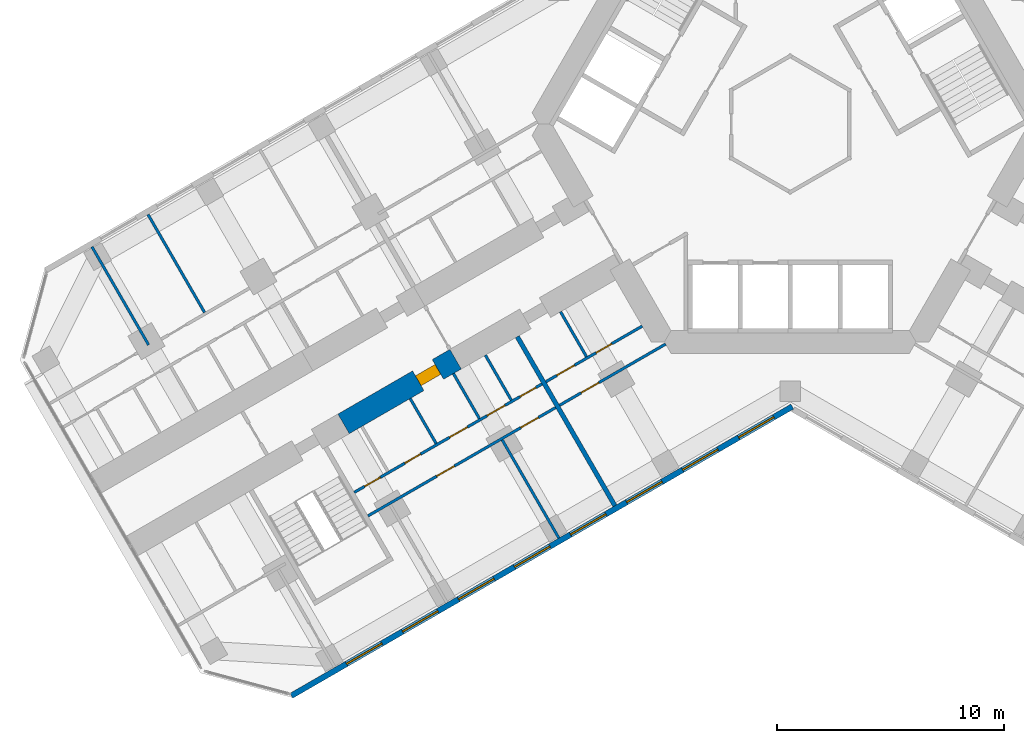
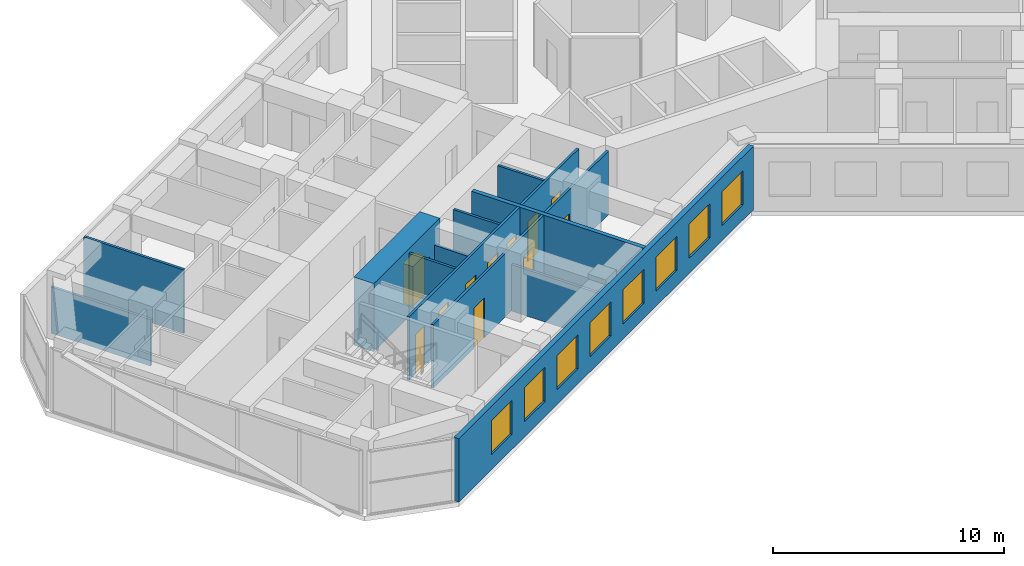
# One storey, part 11 of 21: 14 walls, 11 doors, 8 windows, 19 openings.
"""IFC4 building model written with IfcOpenShell, lengths in metres."""

from ifc_helpers import new_model, si_unit, direction, frame, frame_2d, origin, place, context, subcontext, project, spatial, rectangle, extrude, material, layer, layer_set, type_object, element, fill, save


model = new_model("IFC4")

# Units and contexts
model_context = context("Model", 3, precision=1e-05, world=origin(), true_north=direction((0.0, 1.0)))
body_context = subcontext(model_context, "Body", "Model", "MODEL_VIEW")
ifc_project = project(units=[si_unit("LENGTHUNIT", "METRE"), si_unit("AREAUNIT", "SQUARE_METRE"), si_unit("VOLUMEUNIT", "CUBIC_METRE"), si_unit("PLANEANGLEUNIT", "RADIAN"), si_unit("MASSUNIT", "GRAM", prefix="KILO")], contexts=[model_context])

# Site, building, storey
site_placement = place(None, origin())
site = spatial("IfcSite", under=ifc_project, at=site_placement, CompositionType="ELEMENT")
building_placement = place(site_placement, origin())
building = spatial("IfcBuilding", under=site, at=building_placement, Name="Kosmar Iwan School Tower", CompositionType="ELEMENT")
storey_placement = place(building_placement, frame((0.0, 0.0, 102.39990234375)))
storey = spatial("IfcBuildingStorey", under=building, at=storey_placement, Name="L25", CompositionType="ELEMENT", Elevation=102.39990234375)

# Wall, opening, door
ifc_material_1 = material(Name="Concrete C50/60", Category="concrete")
ifc_layer_1 = layer(ifc_material_1, 1.0)
ifc_layer_set_1 = layer_set([ifc_layer_1], Name="Corridor buttress wall 1000")
wall_type_1 = type_object("IfcWallType", Name="Corridor buttress wall 1000", PredefinedType="SHEAR", material=ifc_layer_set_1)
wall_1_placement = place(storey_placement, frame((-14.7451171875, -10.360595703125, 0.0), z_axis=(0.0, 0.0, 1.0), x_axis=(-0.866015111908, -0.50001782563, 0.0)))
wall_1 = element("IfcWall", 1, at=wall_1_placement, inside=storey, type_object=wall_type_1, Name="Corridor wall BL bay 2", PredefinedType="SHEAR", context=body_context, shape_type="SweptSolid", body=[
    extrude(rectangle(XDim=5.699951171875, YDim=1.0, at=frame_2d((2.85009765625, 0.0))), origin(), (0.0, 0.0, 1.0), 3.60009765625),
])
opening_1_placement = place(wall_1_placement, frame((0.89990234375, 0.0, 0.0)))
opening_1 = element("IfcOpeningElement", 2, at=opening_1_placement, cuts=wall_1, Name="Opening D1", PredefinedType="OPENING", context=body_context, shape_type="SweptSolid", body=[
    extrude(rectangle(XDim=1.0, YDim=2.10009765625, at=frame_2d((0.5, 1.050048828125))), frame((0.0, 0.511962890625, 0.0), z_axis=(0.0, -1.0, 0.0), x_axis=(1.0, 0.0, 0.0)), (0.0, 0.0, 1.0), 1.02392578125),
])
ifc_material_2 = material(Name="Timber fire door in steel frame", Category="steel")
door_type_1 = type_object("IfcDoorType", Name="Flat entrance door 1000x2100", OperationType="SINGLE_SWING_LEFT", PredefinedType="DOOR", material=ifc_material_2)
door_1_placement = place(opening_1_placement, origin())
door_1 = element("IfcDoor", 3, at=door_1_placement, inside=storey, type_object=door_type_1, Name="Flat L25-BL2 entrance door", OperationType="SINGLE_SWING_LEFT", OverallHeight=2.10009765625, OverallWidth=1.0, PredefinedType="DOOR", context=body_context, shape_type="SweptSolid", body=[
    extrude(rectangle(XDim=1.0, YDim=2.10009765625, at=frame_2d((0.5, 1.050048828125))), frame((0.0, 0.25, 0.0), z_axis=(0.0, -1.0, 0.0), x_axis=(1.0, 0.0, 0.0)), (0.0, 0.0, 1.0), 0.5),
])
fill(opening_1, door_1)

# Wall, openings, doors
ifc_material_3 = material(Name="Gypsum board on steel studs", Category="steel")
ifc_layer_2 = layer(ifc_material_3, 0.1201171875)
ifc_layer_set_2 = layer_set([ifc_layer_2], Name="Dwelling partition 120")
wall_type_2 = type_object("IfcWallType", Name="Dwelling partition 120", PredefinedType="PARTITIONING", material=ifc_layer_set_2)
wall_2_placement = place(storey_placement, frame((-6.521728515625, -8.90380859375, 0.0), z_axis=(0.0, 0.0, 1.0), x_axis=(-0.866036242063, -0.49998122708, 0.0)))
wall_2 = element("IfcWall", 4, at=wall_2_placement, inside=storey, type_object=wall_type_2, Name="Partition L25-BL1-W1", PredefinedType="PARTITIONING", context=body_context, shape_type="SweptSolid", body=[
    extrude(rectangle(XDim=4.900146484375, YDim=0.1201171875, at=frame_2d((2.4501953125, 0.0))), origin(), (0.0, 0.0, 1.0), 3.35009765625),
])
opening_2_placement = place(wall_2_placement, frame((1.550048828125, 0.0, 0.0)))
opening_2 = element("IfcOpeningElement", 5, at=opening_2_placement, cuts=wall_2, Name="Opening D3", PredefinedType="OPENING", context=body_context, shape_type="SweptSolid", body=[
    extrude(rectangle(XDim=0.800048828125, YDim=2.10009765625, at=frame_2d((0.39990234375, 1.050048828125))), frame((0.0, 0.072021484375, 0.0), z_axis=(0.0, -1.0, 0.0), x_axis=(1.0, 0.0, 0.0)), (0.0, 0.0, 1.0), 0.14404296875),
])
opening_3_placement = place(wall_2_placement, frame((3.449951171875, 0.0, 0.0)))
opening_3 = element("IfcOpeningElement", 6, at=opening_3_placement, cuts=wall_2, Name="Opening D2", PredefinedType="OPENING", context=body_context, shape_type="SweptSolid", body=[
    extrude(rectangle(XDim=0.89990234375, YDim=2.10009765625, at=frame_2d((0.449951171875, 1.050048828125))), frame((0.0, 0.072021484375, 0.0), z_axis=(0.0, -1.0, 0.0), x_axis=(1.0, 0.0, 0.0)), (0.0, 0.0, 1.0), 0.14404296875),
])
ifc_material_4 = material(Name="Timber door in timber frame", Category="wood")
door_type_2 = type_object("IfcDoorType", Name="Internal door 900x2100", OperationType="SINGLE_SWING_LEFT", PredefinedType="DOOR", material=ifc_material_4)
door_2_placement = place(opening_3_placement, origin())
door_2 = element("IfcDoor", 7, at=door_2_placement, inside=storey, type_object=door_type_2, Name="Entrance hall door L25-BL1-S2", OperationType="SINGLE_SWING_RIGHT", OverallHeight=2.10009765625, OverallWidth=0.89990234375, PredefinedType="DOOR", context=body_context, shape_type="SweptSolid", body=[
    extrude(rectangle(XDim=0.89990234375, YDim=2.10009765625, at=frame_2d((0.449951171875, 1.050048828125))), frame((0.0, 0.02490234375, 0.0), z_axis=(0.0, -1.0, 0.0), x_axis=(1.0, 0.0, 0.0)), (0.0, 0.0, 1.0), 0.050048828125),
])
fill(opening_3, door_2)
ifc_material_5 = material(Name="Timber door in timber frame", Category="wood")
door_type_3 = type_object("IfcDoorType", Name="Sanitary room door 800x2100", OperationType="SINGLE_SWING_LEFT", PredefinedType="DOOR", material=ifc_material_5)
door_3_placement = place(opening_2_placement, origin())
door_3 = element("IfcDoor", 8, at=door_3_placement, inside=storey, type_object=door_type_3, Name="Bathroom door L25-BL1-S1", OperationType="SINGLE_SWING_LEFT", OverallHeight=2.10009765625, OverallWidth=0.800048828125, PredefinedType="DOOR", context=body_context, shape_type="SweptSolid", body=[
    extrude(rectangle(XDim=0.800048828125, YDim=2.10009765625, at=frame_2d((0.39990234375, 1.050048828125))), frame((0.0, 0.02490234375, 0.0), z_axis=(0.0, -1.0, 0.0), x_axis=(1.0, 0.0, 0.0)), (0.0, 0.0, 1.0), 0.050048828125),
])
fill(opening_2, door_3)

# Wall, opening, door
wall_3_placement = place(storey_placement, frame((-5.48876953125, -9.693115234375, 0.0), z_axis=(0.0, 0.0, 1.0), x_axis=(-0.866028230842, -0.499995103361, 0.0)))
wall_3 = element("IfcWall", 9, at=wall_3_placement, inside=storey, type_object=wall_type_2, Name="Partition L25-BL1-W2", PredefinedType="PARTITIONING", context=body_context, shape_type="SweptSolid", body=[
    extrude(rectangle(XDim=5.39990234375, YDim=0.1201171875, at=frame_2d((2.699951171875, 0.0))), origin(), (0.0, 0.0, 1.0), 3.35009765625),
])
opening_4_placement = place(wall_3_placement, frame((3.39990234375, 0.0, 0.0)))
opening_4 = element("IfcOpeningElement", 10, at=opening_4_placement, cuts=wall_3, Name="Opening D2", PredefinedType="OPENING", context=body_context, shape_type="SweptSolid", body=[
    extrude(rectangle(XDim=0.89990234375, YDim=2.10009765625, at=frame_2d((0.449951171875, 1.050048828125))), frame((0.0, 0.072021484375, 0.0), z_axis=(0.0, -1.0, 0.0), x_axis=(1.0, 0.0, 0.0)), (0.0, 0.0, 1.0), 0.14404296875),
])
door_4_placement = place(opening_4_placement, origin())
door_4 = element("IfcDoor", 11, at=door_4_placement, inside=storey, type_object=door_type_2, Name="Studio living room and kitchen door L25-BL1-F1", OperationType="SINGLE_SWING_RIGHT", OverallHeight=2.10009765625, OverallWidth=0.89990234375, PredefinedType="DOOR", context=body_context, shape_type="SweptSolid", body=[
    extrude(rectangle(XDim=0.89990234375, YDim=2.10009765625, at=frame_2d((0.449951171875, 1.050048828125))), frame((0.0, 0.02490234375, 0.0), z_axis=(0.0, -1.0, 0.0), x_axis=(1.0, 0.0, 0.0)), (0.0, 0.0, 1.0), 0.050048828125),
])
fill(opening_4, door_4)

# Wall
wall_4_placement = place(storey_placement, frame((-10.121826171875, -8.2685546875, 0.0), z_axis=(0.0, 0.0, 1.0), x_axis=(0.499968531483, -0.866043571379, 0.0)))
element("IfcWall", 12, at=wall_4_placement, inside=storey, type_object=wall_type_2, Name="Partition L25-BL1-Y1", PredefinedType="PARTITIONING", context=body_context, shape_type="SweptSolid", body=[
    extrude(rectangle(XDim=2.290283203125, YDim=0.1201171875, at=frame_2d((1.14501953125, 0.0))), origin(), (0.0, 0.0, 1.0), 3.35009765625),
])

# Wall, openings, doors
wall_5_placement = place(storey_placement, frame((-10.9384765625, -11.453857421875, 0.0), z_axis=(0.0, 0.0, 1.0), x_axis=(-0.866035311659, -0.499982838664, 0.0)))
wall_5 = element("IfcWall", 13, at=wall_5_placement, inside=storey, type_object=wall_type_2, Name="Partition L25-BL2-W1", PredefinedType="PARTITIONING", context=body_context, shape_type="SweptSolid", body=[
    extrude(rectangle(XDim=9.550048828125, YDim=0.1201171875, at=frame_2d((4.77490234375, 0.0))), origin(), (0.0, 0.0, 1.0), 3.35009765625),
])
opening_5_placement = place(wall_5_placement, frame((0.3125, 0.0, 0.0)))
opening_5 = element("IfcOpeningElement", 14, at=opening_5_placement, cuts=wall_5, Name="Opening D3", PredefinedType="OPENING", context=body_context, shape_type="SweptSolid", body=[
    extrude(rectangle(XDim=0.800048828125, YDim=2.10009765625, at=frame_2d((0.39990234375, 1.050048828125))), frame((0.0, 0.072021484375, 0.0), z_axis=(0.0, -1.0, 0.0), x_axis=(1.0, 0.0, 0.0)), (0.0, 0.0, 1.0), 0.14404296875),
])
opening_6_placement = place(wall_5_placement, frame((1.887451171875, 0.0, 0.0)))
opening_6 = element("IfcOpeningElement", 15, at=opening_6_placement, cuts=wall_5, Name="Opening D2", PredefinedType="OPENING", context=body_context, shape_type="SweptSolid", body=[
    extrude(rectangle(XDim=0.89990234375, YDim=2.10009765625, at=frame_2d((0.449951171875, 1.050048828125))), frame((0.0, 0.072021484375, 0.0), z_axis=(0.0, -1.0, 0.0), x_axis=(1.0, 0.0, 0.0)), (0.0, 0.0, 1.0), 0.14404296875),
])
opening_7_placement = place(wall_5_placement, frame((3.800048828125, 0.0, 0.0)))
opening_7 = element("IfcOpeningElement", 16, at=opening_7_placement, cuts=wall_5, Name="Opening D2", PredefinedType="OPENING", context=body_context, shape_type="SweptSolid", body=[
    extrude(rectangle(XDim=0.89990234375, YDim=2.10009765625, at=frame_2d((0.449951171875, 1.050048828125))), frame((0.0, 0.072021484375, 0.0), z_axis=(0.0, -1.0, 0.0), x_axis=(1.0, 0.0, 0.0)), (0.0, 0.0, 1.0), 0.14404296875),
])
opening_8_placement = place(wall_5_placement, frame((6.179931640625, 0.0, 0.0)))
opening_8 = element("IfcOpeningElement", 17, at=opening_8_placement, cuts=wall_5, Name="Opening D3", PredefinedType="OPENING", context=body_context, shape_type="SweptSolid", body=[
    extrude(rectangle(XDim=0.800048828125, YDim=2.10009765625, at=frame_2d((0.39990234375, 1.050048828125))), frame((0.0, 0.072021484375, 0.0), z_axis=(0.0, -1.0, 0.0), x_axis=(1.0, 0.0, 0.0)), (0.0, 0.0, 1.0), 0.14404296875),
])
opening_9_placement = place(wall_5_placement, frame((8.22998046875, 0.0, 0.0)))
opening_9 = element("IfcOpeningElement", 18, at=opening_9_placement, cuts=wall_5, Name="Opening D3", PredefinedType="OPENING", context=body_context, shape_type="SweptSolid", body=[
    extrude(rectangle(XDim=0.800048828125, YDim=2.10009765625, at=frame_2d((0.39990234375, 1.050048828125))), frame((0.0, 0.072021484375, 0.0), z_axis=(0.0, -1.0, 0.0), x_axis=(1.0, 0.0, 0.0)), (0.0, 0.0, 1.0), 0.14404296875),
])
door_5_placement = place(opening_6_placement, frame((0.89990234375, 0.0, 0.0), z_axis=(0.0, 0.0, 1.0), x_axis=(-1.0, 0.0, 0.0)))
door_5 = element("IfcDoor", 19, at=door_5_placement, inside=storey, type_object=door_type_2, Name="Pantry door L25-BL2-S2", OperationType="SINGLE_SWING_RIGHT", OverallHeight=2.10009765625, OverallWidth=0.89990234375, PredefinedType="DOOR", context=body_context, shape_type="SweptSolid", body=[
    extrude(rectangle(XDim=0.89990234375, YDim=2.10009765625, at=frame_2d((0.449951171875, 1.050048828125))), frame((0.0, 0.02490234375, 0.0), z_axis=(0.0, -1.0, 0.0), x_axis=(1.0, 0.0, 0.0)), (0.0, 0.0, 1.0), 0.050048828125),
])
fill(opening_6, door_5)
door_6_placement = place(opening_7_placement, origin())
door_6 = element("IfcDoor", 20, at=door_6_placement, inside=storey, type_object=door_type_2, Name="Entrance hall door L25-BL2-S3", OperationType="SINGLE_SWING_LEFT", OverallHeight=2.10009765625, OverallWidth=0.89990234375, PredefinedType="DOOR", context=body_context, shape_type="SweptSolid", body=[
    extrude(rectangle(XDim=0.89990234375, YDim=2.10009765625, at=frame_2d((0.449951171875, 1.050048828125))), frame((0.0, 0.02490234375, 0.0), z_axis=(0.0, -1.0, 0.0), x_axis=(1.0, 0.0, 0.0)), (0.0, 0.0, 1.0), 0.050048828125),
])
fill(opening_7, door_6)
door_7_placement = place(opening_5_placement, origin())
door_7 = element("IfcDoor", 21, at=door_7_placement, inside=storey, type_object=door_type_3, Name="Store door L25-BL2-S1", OperationType="SINGLE_SWING_LEFT", OverallHeight=2.10009765625, OverallWidth=0.800048828125, PredefinedType="DOOR", context=body_context, shape_type="SweptSolid", body=[
    extrude(rectangle(XDim=0.800048828125, YDim=2.10009765625, at=frame_2d((0.39990234375, 1.050048828125))), frame((0.0, 0.02490234375, 0.0), z_axis=(0.0, -1.0, 0.0), x_axis=(1.0, 0.0, 0.0)), (0.0, 0.0, 1.0), 0.050048828125),
])
fill(opening_5, door_7)
door_8_placement = place(opening_8_placement, origin())
door_8 = element("IfcDoor", 22, at=door_8_placement, inside=storey, type_object=door_type_3, Name="Bathroom door L25-BL2-S4", OperationType="SINGLE_SWING_RIGHT", OverallHeight=2.10009765625, OverallWidth=0.800048828125, PredefinedType="DOOR", context=body_context, shape_type="SweptSolid", body=[
    extrude(rectangle(XDim=0.800048828125, YDim=2.10009765625, at=frame_2d((0.39990234375, 1.050048828125))), frame((0.0, 0.02490234375, 0.0), z_axis=(0.0, -1.0, 0.0), x_axis=(1.0, 0.0, 0.0)), (0.0, 0.0, 1.0), 0.050048828125),
])
fill(opening_8, door_8)
door_9_placement = place(opening_9_placement, origin())
door_9 = element("IfcDoor", 23, at=door_9_placement, inside=storey, type_object=door_type_3, Name="WC door L25-BL2-S5", OperationType="SINGLE_SWING_RIGHT", OverallHeight=2.10009765625, OverallWidth=0.800048828125, PredefinedType="DOOR", context=body_context, shape_type="SweptSolid", body=[
    extrude(rectangle(XDim=0.800048828125, YDim=2.10009765625, at=frame_2d((0.39990234375, 1.050048828125))), frame((0.0, 0.02490234375, 0.0), z_axis=(0.0, -1.0, 0.0), x_axis=(1.0, 0.0, 0.0)), (0.0, 0.0, 1.0), 0.050048828125),
])
fill(opening_9, door_9)

wall_6_placement = place(storey_placement, frame((-10.338623046875, -12.492919921875, 0.0), z_axis=(0.0, 0.0, 1.0), x_axis=(-0.866017851049, -0.500013081493, 0.0)))
wall_6 = element("IfcWall", 24, at=wall_6_placement, inside=storey, type_object=wall_type_2, Name="Partition L25-BL2-W2", PredefinedType="PARTITIONING", context=body_context, shape_type="SweptSolid", body=[
    extrude(rectangle(XDim=9.550048828125, YDim=0.1201171875, at=frame_2d((4.77490234375, 0.0))), origin(), (0.0, 0.0, 1.0), 3.35009765625),
])
opening_10_placement = place(wall_6_placement, frame((0.875, 0.0, 0.0)))
opening_10 = element("IfcOpeningElement", 25, at=opening_10_placement, cuts=wall_6, Name="Opening D2", PredefinedType="OPENING", context=body_context, shape_type="SweptSolid", body=[
    extrude(rectangle(XDim=0.89990234375, YDim=2.10009765625, at=frame_2d((0.449951171875, 1.050048828125))), frame((0.0, 0.072021484375, 0.0), z_axis=(0.0, -1.0, 0.0), x_axis=(1.0, 0.0, 0.0)), (0.0, 0.0, 1.0), 0.14404296875),
])
opening_11_placement = place(wall_6_placement, frame((5.14990234375, 0.0, 0.0)))
opening_11 = element("IfcOpeningElement", 26, at=opening_11_placement, cuts=wall_6, Name="Opening D2", PredefinedType="OPENING", context=body_context, shape_type="SweptSolid", body=[
    extrude(rectangle(XDim=0.89990234375, YDim=2.10009765625, at=frame_2d((0.449951171875, 1.050048828125))), frame((0.0, 0.072021484375, 0.0), z_axis=(0.0, -1.0, 0.0), x_axis=(1.0, 0.0, 0.0)), (0.0, 0.0, 1.0), 0.14404296875),
])
door_10_placement = place(opening_10_placement, origin())
door_10 = element("IfcDoor", 27, at=door_10_placement, inside=storey, type_object=door_type_2, Name="Bedroom 1 door L25-BL2-F1", OperationType="SINGLE_SWING_LEFT", OverallHeight=2.10009765625, OverallWidth=0.89990234375, PredefinedType="DOOR", context=body_context, shape_type="SweptSolid", body=[
    extrude(rectangle(XDim=0.89990234375, YDim=2.10009765625, at=frame_2d((0.449951171875, 1.050048828125))), frame((0.0, 0.02490234375, 0.0), z_axis=(0.0, -1.0, 0.0), x_axis=(1.0, 0.0, 0.0)), (0.0, 0.0, 1.0), 0.050048828125),
])
fill(opening_10, door_10)
door_11_placement = place(opening_11_placement, origin())
door_11 = element("IfcDoor", 28, at=door_11_placement, inside=storey, type_object=door_type_2, Name="Living room and kitchen door L25-BL2-F2", OperationType="SINGLE_SWING_RIGHT", OverallHeight=2.10009765625, OverallWidth=0.89990234375, PredefinedType="DOOR", context=body_context, shape_type="SweptSolid", body=[
    extrude(rectangle(XDim=0.89990234375, YDim=2.10009765625, at=frame_2d((0.449951171875, 1.050048828125))), frame((0.0, 0.02490234375, 0.0), z_axis=(0.0, -1.0, 0.0), x_axis=(1.0, 0.0, 0.0)), (0.0, 0.0, 1.0), 0.050048828125),
])
fill(opening_11, door_11)

# Walls
wall_7_placement = place(storey_placement, frame((-12.690185546875, -13.919921875, 0.0), z_axis=(0.0, 0.0, 1.0), x_axis=(0.500011847778, -0.866018563358, 0.0)))
element("IfcWall", 29, at=wall_7_placement, inside=storey, type_object=wall_type_2, Name="Partition L25-BL2-X1", PredefinedType="PARTITIONING", context=body_context, shape_type="SweptSolid", body=[
    extrude(rectangle(XDim=4.990234375, YDim=0.1201171875, at=frame_2d((2.4951171875, 0.0))), origin(), (0.0, 0.0, 1.0), 2.4501953125),
])
wall_8_placement = place(storey_placement, frame((-13.434326171875, -10.18115234375, 0.0), z_axis=(0.0, 0.0, 1.0), x_axis=(0.500014693593, -0.866016920268, 0.0)))
element("IfcWall", 30, at=wall_8_placement, inside=storey, type_object=wall_type_2, Name="Partition L25-BL2-Y1", PredefinedType="PARTITIONING", context=body_context, shape_type="SweptSolid", body=[
    extrude(rectangle(XDim=2.2900390625, YDim=0.1201171875, at=frame_2d((1.14501953125, 0.0))), origin(), (0.0, 0.0, 1.0), 3.35009765625),
])
wall_9_placement = place(storey_placement, frame((-14.841552734375, -10.99365234375, 0.0), z_axis=(0.0, 0.0, 1.0), x_axis=(0.500014693593, -0.866016920268, 0.0)))
element("IfcWall", 31, at=wall_9_placement, inside=storey, type_object=wall_type_2, Name="Partition L25-BL2-Y2", PredefinedType="PARTITIONING", context=body_context, shape_type="SweptSolid", body=[
    extrude(rectangle(XDim=2.2900390625, YDim=0.1201171875, at=frame_2d((1.14501953125, 0.0))), origin(), (0.0, 0.0, 1.0), 2.4501953125),
])
wall_10_placement = place(storey_placement, frame((-16.746826171875, -12.09375, 0.0), z_axis=(0.0, 0.0, 1.0), x_axis=(0.500014693593, -0.866016920268, 0.0)))
element("IfcWall", 32, at=wall_10_placement, inside=storey, type_object=wall_type_2, Name="Partition L25-BL2-Y3", PredefinedType="PARTITIONING", context=body_context, shape_type="SweptSolid", body=[
    extrude(rectangle(XDim=2.2900390625, YDim=0.1201171875, at=frame_2d((1.14501953125, 0.0))), origin(), (0.0, 0.0, 1.0), 3.35009765625),
])
wall_11_placement = place(storey_placement, frame((-25.8046875, -8.304931640625, 0.0), z_axis=(0.0, 0.0, 1.0), x_axis=(-0.499975153383, 0.86603974851, 0.0)))
element("IfcWall", 33, at=wall_11_placement, inside=storey, type_object=wall_type_2, Name="Partition L25-BR2-X2", PredefinedType="PARTITIONING", context=body_context, shape_type="SweptSolid", body=[
    extrude(rectangle(XDim=4.989990234375, YDim=0.1201171875, at=frame_2d((2.4951171875, 0.0))), origin(), (0.0, 0.0, 1.0), 3.35009765625),
])
wall_12_placement = place(storey_placement, frame((-28.27294921875, -9.72998046875, 0.0), z_axis=(0.0, 0.0, 1.0), x_axis=(-0.499975153383, 0.86603974851, 0.0)))
element("IfcWall", 34, at=wall_12_placement, inside=storey, type_object=wall_type_2, Name="Partition L25-BR2-X3", PredefinedType="PARTITIONING", context=body_context, shape_type="SweptSolid", body=[
    extrude(rectangle(XDim=4.989990234375, YDim=0.1201171875, at=frame_2d((2.4951171875, 0.0))), origin(), (0.0, 0.0, 1.0), 2.4501953125),
])

# Wall, openings, windows
ifc_material_6 = material(Name="Black aluminium rainscreen on insulated framing", Category="aluminium")
ifc_layer_3 = layer(ifc_material_6, 0.25)
ifc_layer_set_3 = layer_set([ifc_layer_3], Name="External wall rainscreen 250")
wall_type_3 = type_object("IfcWallType", Name="External wall rainscreen 250", PredefinedType="SOLIDWALL", material=ifc_layer_set_3)
wall_13_placement = place(storey_placement, frame((0.088134765625, -12.44873046875, 0.0), z_axis=(0.0, 0.0, 1.0), x_axis=(-0.866026390279, -0.499998291337, 0.0)))
wall_13 = element("IfcWall", 35, at=wall_13_placement, inside=storey, type_object=wall_type_3, Name="External wall BL L25", PredefinedType="SOLIDWALL", context=body_context, shape_type="SweptSolid", body=[
    extrude(rectangle(XDim=25.4873046875, YDim=0.25, at=frame_2d((12.74365234375, 0.0))), origin(), (0.0, 0.0, 1.0), 3.35009765625),
])
opening_12_placement = place(wall_13_placement, frame((0.927001953125, 0.0, 0.800048828125)))
opening_12 = element("IfcOpeningElement", 36, at=opening_12_placement, cuts=wall_13, Name="Opening W1", PredefinedType="OPENING", context=body_context, shape_type="SweptSolid", body=[
    extrude(rectangle(XDim=1.800048828125, YDim=1.800048828125, at=frame_2d((0.89990234375, 0.89990234375))), frame((0.0, 0.136962890625, 0.0), z_axis=(0.0, -1.0, 0.0), x_axis=(1.0, 0.0, 0.0)), (0.0, 0.0, 1.0), 0.27392578125),
])
opening_13_placement = place(wall_13_placement, frame((3.777099609375, 0.0, 0.800048828125)))
opening_13 = element("IfcOpeningElement", 37, at=opening_13_placement, cuts=wall_13, Name="Opening W1", PredefinedType="OPENING", context=body_context, shape_type="SweptSolid", body=[
    extrude(rectangle(XDim=1.800048828125, YDim=1.800048828125, at=frame_2d((0.89990234375, 0.89990234375))), frame((0.0, 0.136962890625, 0.0), z_axis=(0.0, -1.0, 0.0), x_axis=(1.0, 0.0, 0.0)), (0.0, 0.0, 1.0), 0.27392578125),
])
opening_14_placement = place(wall_13_placement, frame((6.626953125, 0.0, 0.800048828125)))
opening_14 = element("IfcOpeningElement", 38, at=opening_14_placement, cuts=wall_13, Name="Opening W1", PredefinedType="OPENING", context=body_context, shape_type="SweptSolid", body=[
    extrude(rectangle(XDim=1.800048828125, YDim=1.800048828125, at=frame_2d((0.89990234375, 0.89990234375))), frame((0.0, 0.136962890625, 0.0), z_axis=(0.0, -1.0, 0.0), x_axis=(1.0, 0.0, 0.0)), (0.0, 0.0, 1.0), 0.27392578125),
])
opening_15_placement = place(wall_13_placement, frame((9.47705078125, 0.0, 0.800048828125)))
opening_15 = element("IfcOpeningElement", 39, at=opening_15_placement, cuts=wall_13, Name="Opening W1", PredefinedType="OPENING", context=body_context, shape_type="SweptSolid", body=[
    extrude(rectangle(XDim=1.800048828125, YDim=1.800048828125, at=frame_2d((0.89990234375, 0.89990234375))), frame((0.0, 0.136962890625, 0.0), z_axis=(0.0, -1.0, 0.0), x_axis=(1.0, 0.0, 0.0)), (0.0, 0.0, 1.0), 0.27392578125),
])
opening_16_placement = place(wall_13_placement, frame((12.326904296875, 0.0, 0.800048828125)))
opening_16 = element("IfcOpeningElement", 40, at=opening_16_placement, cuts=wall_13, Name="Opening W1", PredefinedType="OPENING", context=body_context, shape_type="SweptSolid", body=[
    extrude(rectangle(XDim=1.800048828125, YDim=1.800048828125, at=frame_2d((0.89990234375, 0.89990234375))), frame((0.0, 0.136962890625, 0.0), z_axis=(0.0, -1.0, 0.0), x_axis=(1.0, 0.0, 0.0)), (0.0, 0.0, 1.0), 0.27392578125),
])
opening_17_placement = place(wall_13_placement, frame((15.177001953125, 0.0, 0.800048828125)))
opening_17 = element("IfcOpeningElement", 41, at=opening_17_placement, cuts=wall_13, Name="Opening W1", PredefinedType="OPENING", context=body_context, shape_type="SweptSolid", body=[
    extrude(rectangle(XDim=1.800048828125, YDim=1.800048828125, at=frame_2d((0.89990234375, 0.89990234375))), frame((0.0, 0.136962890625, 0.0), z_axis=(0.0, -1.0, 0.0), x_axis=(1.0, 0.0, 0.0)), (0.0, 0.0, 1.0), 0.27392578125),
])
opening_18_placement = place(wall_13_placement, frame((18.027099609375, 0.0, 0.800048828125)))
opening_18 = element("IfcOpeningElement", 42, at=opening_18_placement, cuts=wall_13, Name="Opening W1", PredefinedType="OPENING", context=body_context, shape_type="SweptSolid", body=[
    extrude(rectangle(XDim=1.800048828125, YDim=1.800048828125, at=frame_2d((0.89990234375, 0.89990234375))), frame((0.0, 0.136962890625, 0.0), z_axis=(0.0, -1.0, 0.0), x_axis=(1.0, 0.0, 0.0)), (0.0, 0.0, 1.0), 0.27392578125),
])
opening_19_placement = place(wall_13_placement, frame((20.876953125, 0.0, 0.800048828125)))
opening_19 = element("IfcOpeningElement", 43, at=opening_19_placement, cuts=wall_13, Name="Opening W1", PredefinedType="OPENING", context=body_context, shape_type="SweptSolid", body=[
    extrude(rectangle(XDim=1.800048828125, YDim=1.800048828125, at=frame_2d((0.89990234375, 0.89990234375))), frame((0.0, 0.136962890625, 0.0), z_axis=(0.0, -1.0, 0.0), x_axis=(1.0, 0.0, 0.0)), (0.0, 0.0, 1.0), 0.27392578125),
])
ifc_material_7 = material(Name="Black aluminium frame with dark triple glazing", Category="aluminium")
window_type = type_object("IfcWindowType", Name="Window 1800x1800", PartitioningType="SINGLE_PANEL", PredefinedType="WINDOW", material=ifc_material_7)
window_1_placement = place(opening_12_placement, origin())
window_1 = element("IfcWindow", 44, at=window_1_placement, inside=storey, type_object=window_type, Name="Window BL L25 -1", OverallHeight=1.800048828125, OverallWidth=1.800048828125, PartitioningType="SINGLE_PANEL", PredefinedType="WINDOW", context=body_context, shape_type="SweptSolid", body=[
    extrude(rectangle(XDim=1.800048828125, YDim=1.800048828125, at=frame_2d((0.89990234375, 0.89990234375))), frame((0.0, 0.030029296875, 0.0), z_axis=(0.0, -1.0, 0.0), x_axis=(1.0, 0.0, 0.0)), (0.0, 0.0, 1.0), 0.06005859375),
])
fill(opening_12, window_1)
window_2_placement = place(opening_13_placement, origin())
window_2 = element("IfcWindow", 45, at=window_2_placement, inside=storey, type_object=window_type, Name="Window BL L25 0", OverallHeight=1.800048828125, OverallWidth=1.800048828125, PartitioningType="SINGLE_PANEL", PredefinedType="WINDOW", context=body_context, shape_type="SweptSolid", body=[
    extrude(rectangle(XDim=1.800048828125, YDim=1.800048828125, at=frame_2d((0.89990234375, 0.89990234375))), frame((0.0, 0.030029296875, 0.0), z_axis=(0.0, -1.0, 0.0), x_axis=(1.0, 0.0, 0.0)), (0.0, 0.0, 1.0), 0.06005859375),
])
fill(opening_13, window_2)
window_3_placement = place(opening_14_placement, origin())
window_3 = element("IfcWindow", 46, at=window_3_placement, inside=storey, type_object=window_type, Name="Window BL L25 1", OverallHeight=1.800048828125, OverallWidth=1.800048828125, PartitioningType="SINGLE_PANEL", PredefinedType="WINDOW", context=body_context, shape_type="SweptSolid", body=[
    extrude(rectangle(XDim=1.800048828125, YDim=1.800048828125, at=frame_2d((0.89990234375, 0.89990234375))), frame((0.0, 0.030029296875, 0.0), z_axis=(0.0, -1.0, 0.0), x_axis=(1.0, 0.0, 0.0)), (0.0, 0.0, 1.0), 0.06005859375),
])
fill(opening_14, window_3)
window_4_placement = place(opening_15_placement, origin())
window_4 = element("IfcWindow", 47, at=window_4_placement, inside=storey, type_object=window_type, Name="Window BL L25 2", OverallHeight=1.800048828125, OverallWidth=1.800048828125, PartitioningType="SINGLE_PANEL", PredefinedType="WINDOW", context=body_context, shape_type="SweptSolid", body=[
    extrude(rectangle(XDim=1.800048828125, YDim=1.800048828125, at=frame_2d((0.89990234375, 0.89990234375))), frame((0.0, 0.030029296875, 0.0), z_axis=(0.0, -1.0, 0.0), x_axis=(1.0, 0.0, 0.0)), (0.0, 0.0, 1.0), 0.06005859375),
])
fill(opening_15, window_4)
window_5_placement = place(opening_16_placement, origin())
window_5 = element("IfcWindow", 48, at=window_5_placement, inside=storey, type_object=window_type, Name="Window BL L25 3", OverallHeight=1.800048828125, OverallWidth=1.800048828125, PartitioningType="SINGLE_PANEL", PredefinedType="WINDOW", context=body_context, shape_type="SweptSolid", body=[
    extrude(rectangle(XDim=1.800048828125, YDim=1.800048828125, at=frame_2d((0.89990234375, 0.89990234375))), frame((0.0, 0.030029296875, 0.0), z_axis=(0.0, -1.0, 0.0), x_axis=(1.0, 0.0, 0.0)), (0.0, 0.0, 1.0), 0.06005859375),
])
fill(opening_16, window_5)
window_6_placement = place(opening_17_placement, origin())
window_6 = element("IfcWindow", 49, at=window_6_placement, inside=storey, type_object=window_type, Name="Window BL L25 4", OverallHeight=1.800048828125, OverallWidth=1.800048828125, PartitioningType="SINGLE_PANEL", PredefinedType="WINDOW", context=body_context, shape_type="SweptSolid", body=[
    extrude(rectangle(XDim=1.800048828125, YDim=1.800048828125, at=frame_2d((0.89990234375, 0.89990234375))), frame((0.0, 0.030029296875, 0.0), z_axis=(0.0, -1.0, 0.0), x_axis=(1.0, 0.0, 0.0)), (0.0, 0.0, 1.0), 0.06005859375),
])
fill(opening_17, window_6)
window_7_placement = place(opening_18_placement, origin())
window_7 = element("IfcWindow", 50, at=window_7_placement, inside=storey, type_object=window_type, Name="Window BL L25 5", OverallHeight=1.800048828125, OverallWidth=1.800048828125, PartitioningType="SINGLE_PANEL", PredefinedType="WINDOW", context=body_context, shape_type="SweptSolid", body=[
    extrude(rectangle(XDim=1.800048828125, YDim=1.800048828125, at=frame_2d((0.89990234375, 0.89990234375))), frame((0.0, 0.030029296875, 0.0), z_axis=(0.0, -1.0, 0.0), x_axis=(1.0, 0.0, 0.0)), (0.0, 0.0, 1.0), 0.06005859375),
])
fill(opening_18, window_7)
window_8_placement = place(opening_19_placement, origin())
window_8 = element("IfcWindow", 51, at=window_8_placement, inside=storey, type_object=window_type, Name="Window BL L25 6", OverallHeight=1.800048828125, OverallWidth=1.800048828125, PartitioningType="SINGLE_PANEL", PredefinedType="WINDOW", context=body_context, shape_type="SweptSolid", body=[
    extrude(rectangle(XDim=1.800048828125, YDim=1.800048828125, at=frame_2d((0.89990234375, 0.89990234375))), frame((0.0, 0.030029296875, 0.0), z_axis=(0.0, -1.0, 0.0), x_axis=(1.0, 0.0, 0.0)), (0.0, 0.0, 1.0), 0.06005859375),
])
fill(opening_19, window_8)

# Wall
ifc_material_8 = material(Name="Concrete block masonry", Category="masonry")
ifc_layer_4 = layer(ifc_material_8, 0.199951171875)
ifc_layer_set_4 = layer_set([ifc_layer_4], Name="Party wall 200")
wall_type_4 = type_object("IfcWallType", Name="Party wall 200", PredefinedType="PARTITIONING", material=ifc_layer_set_4)
wall_14_placement = place(storey_placement, frame((-12.027099609375, -9.36865234375, 0.0), z_axis=(0.0, 0.0, 1.0), x_axis=(0.500007509209, -0.866021068297, 0.0)))
element("IfcWall", 52, at=wall_14_placement, inside=storey, type_object=wall_type_4, Name="Partition L25-BL2-PW", PredefinedType="PARTITIONING", context=body_context, shape_type="SweptSolid", body=[
    extrude(rectangle(XDim=8.599853515625, YDim=0.199951171875, at=frame_2d((4.2998046875, 0.0))), origin(), (0.0, 0.0, 1.0), 3.35009765625),
])

save(model, "model.ifc")
